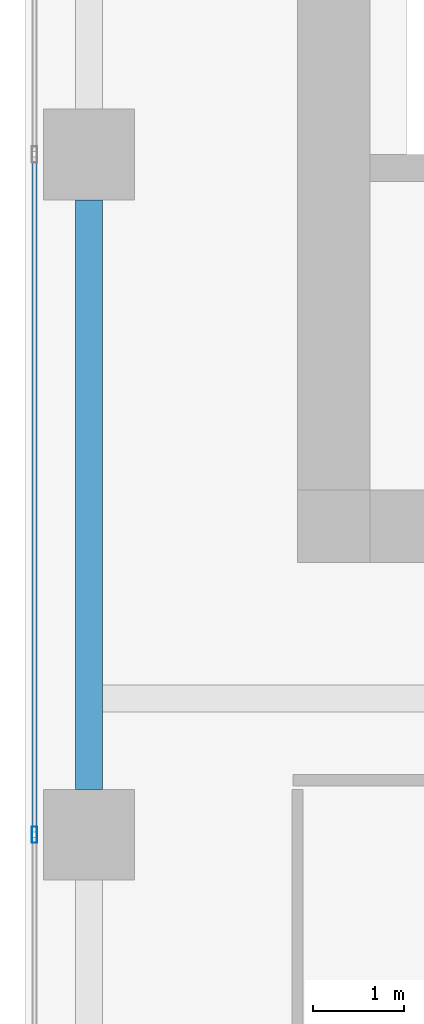
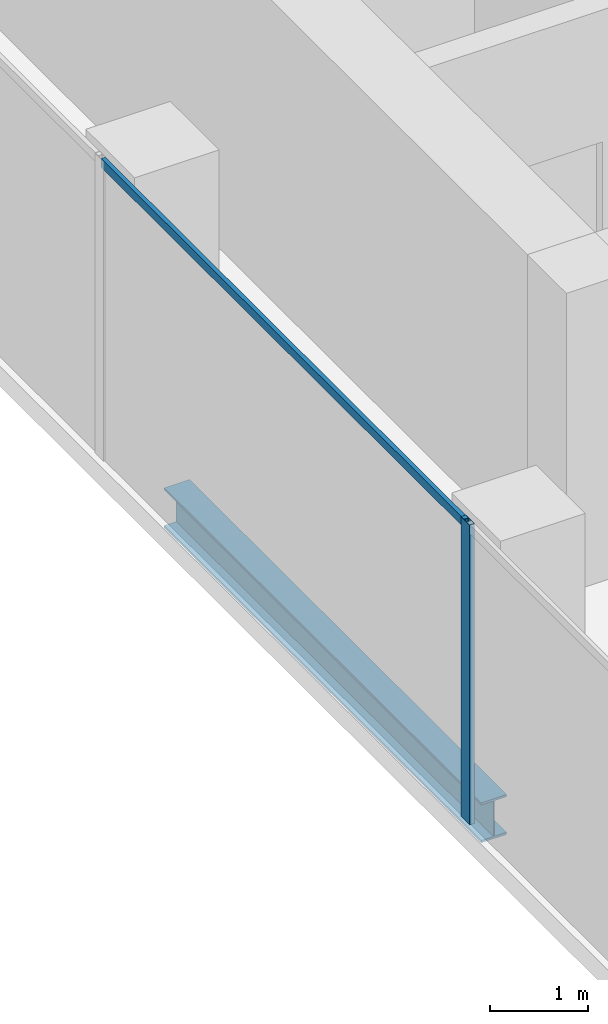
# One storey, part 4 of 40: 2 members, 1 beam, 1 element without a shape of its own.
"""IFC4 building model written with IfcOpenShell, lengths in metres."""

from ifc_helpers import new_model, si_unit, direction, frame, origin, origin_2d, place, context, subcontext, project, spatial, hollow_rectangle, i_section, extrude, source, transform, mapped, material, material_profile, profile_set, type_object, element, aggregate, save


model = new_model("IFC4")

# Units and contexts
model_context = context("Model", 3, precision=1e-05, world=origin(), true_north=direction((0.0, 1.0)))
body_context = subcontext(model_context, "Body", "Model", "MODEL_VIEW")
ifc_project = project(units=[si_unit("LENGTHUNIT", "METRE"), si_unit("AREAUNIT", "SQUARE_METRE"), si_unit("VOLUMEUNIT", "CUBIC_METRE"), si_unit("PLANEANGLEUNIT", "RADIAN"), si_unit("MASSUNIT", "GRAM", prefix="KILO")], contexts=[model_context])

# Site, building, storey
site_placement = place(None, origin())
site = spatial("IfcSite", under=ifc_project, at=site_placement, CompositionType="ELEMENT")
building_placement = place(site_placement, origin())
building = spatial("IfcBuilding", under=site, at=building_placement, Name="Khomas Fold Tower", CompositionType="ELEMENT")
storey_placement = place(building_placement, frame((0.0, 0.0, 204.699951171875)))
storey = spatial("IfcBuildingStorey", under=building, at=storey_placement, Name="L45", CompositionType="ELEMENT", Elevation=204.699951171875)

# Beam
ifc_material_1 = material(Name="Steel S355", Category="steel")
ifc_material_profile_1 = material_profile(ifc_material_1, i_section(OverallWidth=0.300048828125, OverallDepth=0.5, WebThickness=0.014404296875, FlangeThickness=0.028076171875, at=origin_2d()), Name="HE 500 B")
ifc_profile_set_1 = profile_set([ifc_material_profile_1], Name="Steel S355")
beam_type = type_object("IfcBeamType", Name="HE 500 B spandrel SB3", PredefinedType="SPANDREL", material=ifc_profile_set_1)
shared_shape_1 = source(origin(), body_context, "Body", "SweptSolid", [
    extrude(i_section(OverallWidth=0.300048828125, OverallDepth=0.5, WebThickness=0.014404296875, FlangeThickness=0.028076171875, at=origin_2d()), origin(), (0.0, 0.0, 1.0), 6.5),
])
beam_placement = place(storey_placement, frame((3.699951171875, 12.5, -0.5), z_axis=(0.0, 1.0, 0.0), x_axis=(-1.0, 0.0, 0.0)))
element("IfcBeam", 1, at=beam_placement, inside=storey, type_object=beam_type, Name="SB3", PredefinedType="SPANDREL", context=body_context, shape_type="MappedRepresentation", body=[
    mapped(shared_shape_1, transform((0.0, 0.0, 0.0))),
])

# Curtain wall, members
ifc_material_2 = material(Name="Aluminium framed double glazing", Category="aluminium")
curtain_wall_type = type_object("IfcCurtainWallType", Name="SK-Unitised clear-glass wall, office floors CW2", PredefinedType="NOTDEFINED", material=ifc_material_2)
curtain_wall_placement = place(storey_placement, origin())
curtain_wall = element("IfcCurtainWall", 2, at=curtain_wall_placement, inside=storey, type_object=curtain_wall_type, Name="CW2 run L45 09-0", PredefinedType="NOTDEFINED")
ifc_material_3 = material(Name="Aluminium", Category="aluminium")
ifc_material_profile_2 = material_profile(ifc_material_3, hollow_rectangle(XDim=0.06005859375, YDim=0.179931640625, WallThickness=0.00390625, at=origin_2d()), Name="SK-Unitised clear-glass wall, office floors mullion CW2-M")
ifc_profile_set_2 = profile_set([ifc_material_profile_2], Name="Aluminium")
member_type_1 = type_object("IfcMemberType", Name="SK-Unitised clear-glass wall, office floors mullion CW2-M", PredefinedType="MULLION", material=ifc_profile_set_2)
shared_shape_2 = source(origin(), body_context, "Body", "SweptSolid", [
    extrude(hollow_rectangle(XDim=0.06005859375, YDim=0.179931640625, WallThickness=0.00390625, at=origin_2d()), origin(), (0.0, 0.0, 1.0), 3.75),
])
member_1_placement = place(storey_placement, frame((3.10009765625, 12.0, 0.0), z_axis=(0.0, 0.0, 1.0), x_axis=(1.0, 0.0, 0.0)))
member_1 = element("IfcMember", 3, at=member_1_placement, type_object=member_type_1, Name="CW2 mullion 7", PredefinedType="MULLION", context=body_context, shape_type="MappedRepresentation", body=[
    mapped(shared_shape_2, transform((0.0, 0.0, 0.0))),
])
ifc_material_4 = material(Name="Aluminium", Category="aluminium")
ifc_material_profile_3 = material_profile(ifc_material_4, hollow_rectangle(XDim=0.050048828125, YDim=0.110107421875, WallThickness=0.00390625, at=origin_2d()), Name="SK-Unitised clear-glass wall, office floors transom CW2-T")
ifc_profile_set_3 = profile_set([ifc_material_profile_3], Name="Aluminium")
member_type_2 = type_object("IfcMemberType", Name="SK-Unitised clear-glass wall, office floors transom CW2-T", PredefinedType="USERDEFINED", material=ifc_profile_set_3)
shared_shape_3 = source(origin(), body_context, "Body", "SweptSolid", [
    extrude(hollow_rectangle(XDim=0.050048828125, YDim=0.110107421875, WallThickness=0.00390625, at=origin_2d()), origin(), (0.0, 0.0, 1.0), 7.43994140625),
])
member_2_placement = place(storey_placement, frame((3.10009765625, 19.469970703125, 3.695068359375), z_axis=(0.0, -1.0, 0.0), x_axis=(1.0, 0.0, 0.0)))
member_2 = element("IfcMember", 4, at=member_2_placement, type_object=member_type_2, Name="CW2 transom 6", ObjectType="TRANSOM", PredefinedType="USERDEFINED", context=body_context, shape_type="MappedRepresentation", body=[
    mapped(shared_shape_3, transform((0.0, 0.0, 0.0))),
])
aggregate(curtain_wall, [member_1, member_2])

save(model, "model.ifc")
